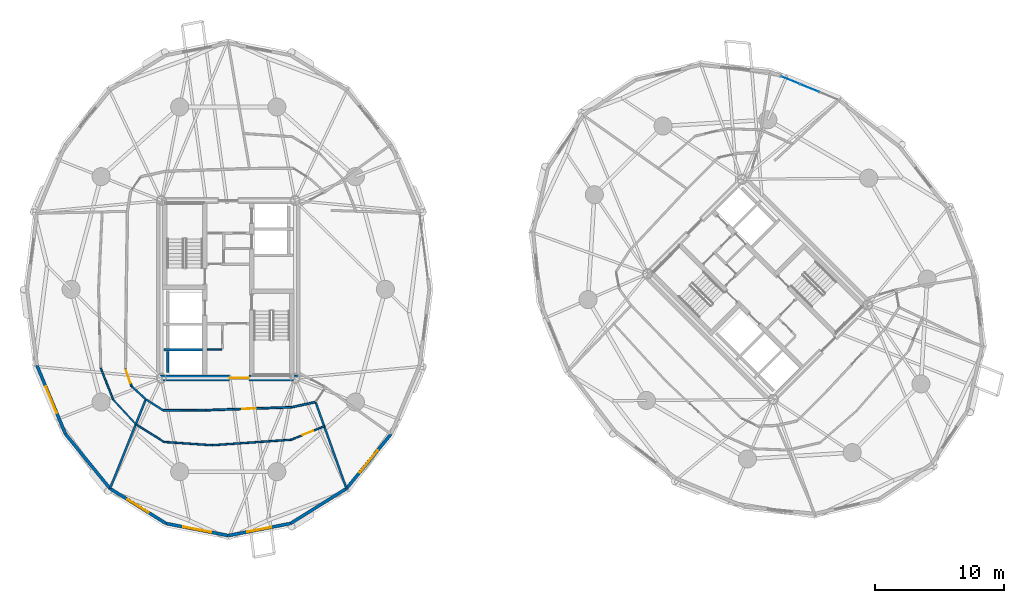
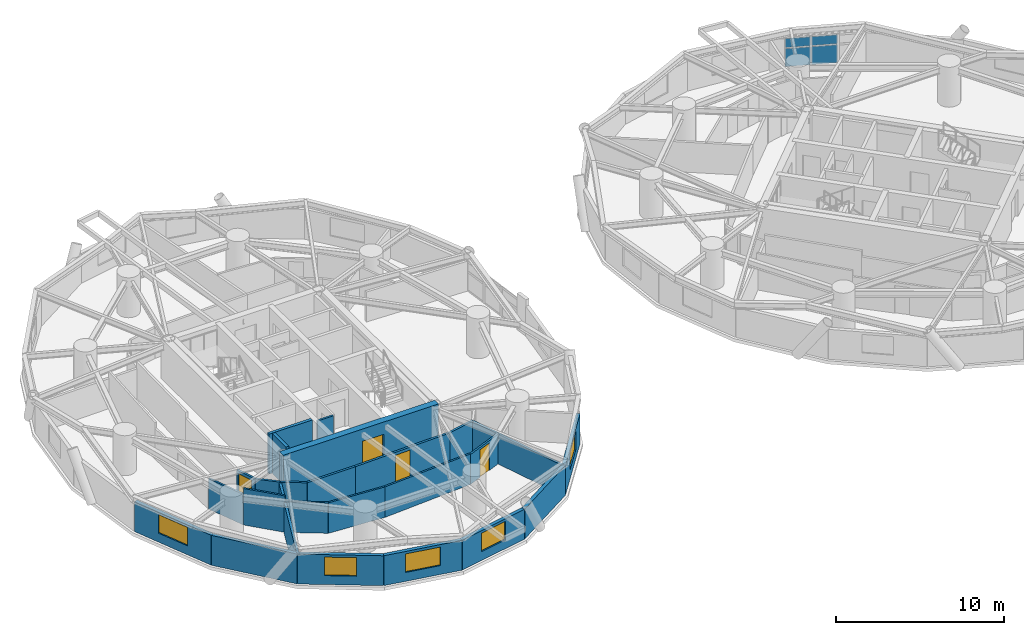
# One storey, part 9 of 17: 25 walls, 5 windows, 4 doors, 4 plates, 9 openings, 1 element without a shape of its own.
"""IFC4 building model written with IfcOpenShell, lengths in metres."""

import ifcopenshell
import ifcopenshell.guid

model = None  # the IFC model being written
_history = None  # IfcOwnerHistory: only IFC2X3 demands one
_inside = {}  # id of a spatial element -> (the spatial element, [elements in it])
_under = {}  # id of a project, library or spatial element -> (it, [spatial elements below it])
_declared = {}  # id of a project -> (the project, [libraries it declares])
_typed = {}  # id of a type object -> (the type object, [elements of that type])
_made_of = {}  # id of a material, layer set ... -> (it, [elements and type objects made of it])


def new_model(schema):
    """Start an empty IFC model of exactly this schema.

    Asked for "IFC4X3", IfcOpenShell would pick the latest addendum, in which some entities
    have other attributes; the version numbers below select the first issue.
    IFC2X3 requires an IfcOwnerHistory on every rooted entity: one is made here for all.
    """
    global model, _history
    if schema == "IFC4X3":
        model = ifcopenshell.file(schema_version=(4, 3, 0, 0))
    else:
        model = ifcopenshell.file(schema=schema)
    _inside.clear()
    _under.clear()
    _declared.clear()
    _typed.clear()
    _made_of.clear()
    _history = None
    if model.schema == "IFC2X3":
        org = make("IfcOrganization", Name="unknown")
        user = make(
            "IfcPersonAndOrganization",
            ThePerson=make("IfcPerson", FamilyName="unknown"),
            TheOrganization=org,
        )
        app = make(
            "IfcApplication",
            ApplicationDeveloper=org,
            Version="unknown",
            ApplicationFullName="unknown",
            ApplicationIdentifier="unknown",
        )
        _history = make(
            "IfcOwnerHistory",
            OwningUser=user,
            OwningApplication=app,
            ChangeAction="ADDED",
            CreationDate=0,
        )
    return model


def make(cls, **values):
    """One entity of the class cls with the attributes given. An attribute that is None is left unset."""
    return model.create_entity(
        cls, **{name: value for name, value in values.items() if value is not None}
    )


def rooted(cls, **values):
    """An entity with a GlobalId (a new one), such as an element, a storey or a relation."""
    return make(cls, GlobalId=ifcopenshell.guid.new(), OwnerHistory=_history, **values)


def si_unit(unit_type, name, prefix=None):
    """IfcSIUnit, for example si_unit("LENGTHUNIT", "METRE", prefix="MILLI")."""
    return make("IfcSIUnit", UnitType=unit_type, Prefix=prefix, Name=name)


def assignment(units):
    """IfcUnitAssignment: the units of a project."""
    return None if units is None else make("IfcUnitAssignment", Units=units)


def point(xyz):
    """IfcCartesianPoint."""
    return None if xyz is None else make("IfcCartesianPoint", Coordinates=xyz)


def direction(xyz):
    """IfcDirection."""
    return None if xyz is None else make("IfcDirection", DirectionRatios=xyz)


def frame(location, z_axis=None, x_axis=None):
    """IfcAxis2Placement3D, a coordinate frame: its origin and axes. An axis left out is left unset."""
    return make(
        "IfcAxis2Placement3D",
        Location=point(location),
        Axis=direction(z_axis),
        RefDirection=direction(x_axis),
    )


def frame_2d(location, x_axis=None):
    """IfcAxis2Placement2D, a coordinate frame in the plane: its origin and x axis."""
    return make(
        "IfcAxis2Placement2D", Location=point(location), RefDirection=direction(x_axis)
    )


def origin():
    """The frame at (0, 0, 0) with its axes left unset."""
    return frame((0.0, 0.0, 0.0))


def origin_2d():
    """The frame at (0, 0) in the plane with its x axis left unset."""
    return frame_2d((0.0, 0.0))


def place(relative_to, where):
    """IfcLocalPlacement: puts the frame where relative to a parent placement (None: the world)."""
    return make(
        "IfcLocalPlacement", PlacementRelTo=relative_to, RelativePlacement=where
    )


def context(
    kind, dimensions, precision=None, world=None, true_north=None, identifier=None
):
    """IfcGeometricRepresentationContext, for example the 3D "Model" context."""
    return make(
        "IfcGeometricRepresentationContext",
        ContextIdentifier=identifier,
        ContextType=kind,
        CoordinateSpaceDimension=dimensions,
        Precision=precision,
        WorldCoordinateSystem=world,
        TrueNorth=true_north,
    )


def subcontext(parent, identifier, kind, view, scale=None):
    """IfcGeometricRepresentationSubContext, for example "Body" below "Model"."""
    return make(
        "IfcGeometricRepresentationSubContext",
        ContextIdentifier=identifier,
        ContextType=kind,
        ParentContext=parent,
        TargetScale=scale,
        TargetView=view,
    )


def project(units=None, contexts=None):
    """IfcProject with its units and contexts."""
    return rooted(
        "IfcProject",
        Name="project",
        RepresentationContexts=contexts,
        UnitsInContext=assignment(units),
    )


def spatial(cls, under=None, at=None, **own):
    """A site, building, storey or space (cls), placed at a placement, below another one or the project."""
    s = rooted(cls, ObjectPlacement=at, **own)
    if under is not None:
        _under.setdefault(under.id(), (under, []))[1].append(s)
    return s


def profile(cls, at=None, kind="AREA", **sizes):
    """A parametric profile (cls). Its sizes go by their IFC names, for example OverallWidth=200.0."""
    return make(cls, ProfileType=kind, Position=at, **sizes)


def rectangle(**sizes):
    """IfcRectangleProfileDef."""
    return profile("IfcRectangleProfileDef", **sizes)


def extrude(swept, where, along, depth):
    """IfcExtrudedAreaSolid: the profile swept, set in the frame where, extruded along a direction by depth."""
    return make(
        "IfcExtrudedAreaSolid",
        SweptArea=swept,
        Position=where,
        ExtrudedDirection=direction(along),
        Depth=depth,
    )


def shape(context_of_items, identifier, shape_type, items):
    """IfcShapeRepresentation: the items that make up one representation, for example the "Body"."""
    return make(
        "IfcShapeRepresentation",
        ContextOfItems=context_of_items,
        RepresentationIdentifier=identifier,
        RepresentationType=shape_type,
        Items=items,
    )


def source(mapping_origin, context_of_items, identifier, shape_type, items):
    """IfcRepresentationMap: a shape defined once, which mapped items show again and again."""
    return make(
        "IfcRepresentationMap",
        MappingOrigin=mapping_origin,
        MappedRepresentation=shape(context_of_items, identifier, shape_type, items),
    )


def transform(
    local_origin,
    x_axis=None,
    y_axis=None,
    z_axis=None,
    scale=None,
    scale2=None,
    scale3=None,
    uniform=True,
):
    """IfcCartesianTransformationOperator3D, or its non-uniform kind. x_axis, y_axis, z_axis: its Axis1, 2, 3."""
    if uniform:
        return make(
            "IfcCartesianTransformationOperator3D",
            Axis1=direction(x_axis),
            Axis2=direction(y_axis),
            LocalOrigin=point(local_origin),
            Scale=scale,
            Axis3=direction(z_axis),
        )
    return make(
        "IfcCartesianTransformationOperator3DnonUniform",
        Axis1=direction(x_axis),
        Axis2=direction(y_axis),
        LocalOrigin=point(local_origin),
        Scale=scale,
        Axis3=direction(z_axis),
        Scale2=scale2,
        Scale3=scale3,
    )


def mapped(mapping_source, mapping_target):
    """IfcMappedItem: shows the shape of a source again, moved by a transform."""
    return make(
        "IfcMappedItem", MappingSource=mapping_source, MappingTarget=mapping_target
    )


def material(Name=None, Category=None):
    """IfcMaterial."""
    return make("IfcMaterial", Name=Name, Category=Category)


def layer(
    of_material, thickness, ventilated=None, Name=None, Category=None, Priority=None
):
    """IfcMaterialLayer: one layer of a wall or slab, of a material (None: an air gap)."""
    return make(
        "IfcMaterialLayer",
        Material=of_material,
        LayerThickness=thickness,
        IsVentilated=ventilated,
        Name=Name,
        Category=Category,
        Priority=Priority,
    )


def layer_set(layers, Name=None):
    """IfcMaterialLayerSet."""
    return make("IfcMaterialLayerSet", MaterialLayers=layers, LayerSetName=Name)


def made_of(thing, what):
    """Note that an element or type object is made of a material, layer set ...; save() writes the relation."""
    if what is not None:
        _made_of.setdefault(what.id(), (what, []))[1].append(thing)
    return thing


def type_object(cls, material=None, **own):
    """A type object (cls), such as IfcWallType, which elements share."""
    return made_of(rooted(cls, **own), material)


def element(
    cls,
    number,
    at=None,
    inside=None,
    cuts=None,
    type_object=None,
    material=None,
    context=None,
    identifier="Body",
    shape_type=None,
    held_by="IfcProductDefinitionShape",
    body=None,
    shapes=None,
    **own,
):
    """One element of the class cls, such as IfcWall. Its Tag is "e" and its number.

    at: its placement. inside: the storey or other place that contains it. cuts: it is an
    opening in that element (IfcRelVoidsElement). A single representation is given by context,
    identifier, shape_type and body (its items); several are given by shapes. held_by: the class
    of the entity that holds the representations. save() writes the other relations.
    """
    e = rooted(cls, Tag="e%d" % number, ObjectPlacement=at, **own)
    if body is not None:
        shapes = [shape(context, identifier, shape_type, body)]
    if shapes is not None:
        e.Representation = make(held_by, Representations=shapes)
    if inside is not None:
        _inside.setdefault(inside.id(), (inside, []))[1].append(e)
    if cuts is not None:
        rooted(
            "IfcRelVoidsElement", RelatingBuildingElement=cuts, RelatedOpeningElement=e
        )
    if type_object is not None:
        _typed.setdefault(type_object.id(), (type_object, []))[1].append(e)
    return made_of(e, material)


def fill(opening, filler):
    """IfcRelFillsElement: the door or window that sits in an opening."""
    return rooted(
        "IfcRelFillsElement",
        RelatingOpeningElement=opening,
        RelatedBuildingElement=filler,
    )


def aggregate(whole, parts):
    """IfcRelAggregates: a whole, such as a stair, and the parts it consists of."""
    return rooted("IfcRelAggregates", RelatingObject=whole, RelatedObjects=parts)


def save(model, path):
    """Write the relations noted so far, then the file.

    IfcRelAggregates (storeys below a building ...), IfcRelContainedInSpatialStructure (elements
    in a storey), IfcRelDefinesByType, IfcRelAssociatesMaterial and IfcRelDeclares: one each for
    every whole, place, type object, material and project.
    """
    for whole, parts in _under.values():
        aggregate(whole, parts)
    for where, things in _inside.values():
        rooted(
            "IfcRelContainedInSpatialStructure",
            RelatedElements=things,
            RelatingStructure=where,
        )
    for kind, things in _typed.values():
        rooted("IfcRelDefinesByType", RelatedObjects=things, RelatingType=kind)
    for what, things in _made_of.values():
        rooted("IfcRelAssociatesMaterial", RelatedObjects=things, RelatingMaterial=what)
    for by, libraries in _declared.values():
        rooted("IfcRelDeclares", RelatingContext=by, RelatedDefinitions=libraries)
    model.write(path)


model = new_model("IFC4")

# Units and contexts
model_context = context("Model", 3, precision=1e-05, world=origin(), true_north=direction((0.0, 1.0)))
body_context = subcontext(model_context, "Body", "Model", "MODEL_VIEW")
ifc_project = project(units=[si_unit("LENGTHUNIT", "METRE"), si_unit("AREAUNIT", "SQUARE_METRE"), si_unit("VOLUMEUNIT", "CUBIC_METRE"), si_unit("PLANEANGLEUNIT", "RADIAN"), si_unit("MASSUNIT", "GRAM", prefix="KILO")], contexts=[model_context])

# Site, building, storey
site_placement = place(None, origin())
site = spatial("IfcSite", under=ifc_project, at=site_placement, CompositionType="ELEMENT")
building_placement = place(site_placement, origin())
building = spatial("IfcBuilding", under=site, at=building_placement, Name="Cununo Teusaquillo Station Towers", CompositionType="ELEMENT")
storey_placement = place(building_placement, frame((0.0, 0.0, 107.97998046875)))
storey = spatial("IfcBuildingStorey", under=building, at=storey_placement, Name="L34", CompositionType="ELEMENT", Elevation=107.97998046875)

# Curtain wall, plates
ifc_material_1 = material(Name="Ceramic-fritted dark low-E double glazing", Category="glass")
ifc_layer_1 = layer(ifc_material_1, 0.179931640625)
ifc_layer_set_1 = layer_set([ifc_layer_1], Name="Ceramic-fritted dark low-E double glazing")
curtain_wall_type = type_object("IfcCurtainWallType", Name="CW-SYS-04", PredefinedType="USERDEFINED", material=ifc_layer_set_1)
curtain_wall_placement = place(storey_placement, origin())
curtain_wall = element("IfcCurtainWall", 1, at=curtain_wall_placement, inside=storey, type_object=curtain_wall_type, Name="L34 Tower B Facade Curtain Wall C01", ObjectType="FRITTED GLAZING", PredefinedType="USERDEFINED")
ifc_material_2 = material(Name="Ceramic-fritted dark low-E double glazing", Category="glass")
ifc_layer_2 = layer(ifc_material_2, 0.028076171875)
ifc_layer_set_2 = layer_set([ifc_layer_2], Name="Ceramic-fritted dark low-E double glazing")
plate_type = type_object("IfcPlateType", Name="CWP-FRIT-28", PredefinedType="CURTAIN_PANEL", material=ifc_layer_set_2)
shared_shape_1 = source(origin(), body_context, "Body", "SweptSolid", [
    extrude(rectangle(XDim=1.531005859375, YDim=0.028076171875, at=origin_2d()), origin(), (0.0, 0.0, 1.0), 1.31103515625),
])
plate_1_placement = place(storey_placement, frame((60.045654296875, 40.697021484375, 0.070068359375), z_axis=(0.0, 0.0, 1.0), x_axis=(0.924562443652, -0.381030560176, 0.0)))
plate_1 = element("IfcPlate", 2, at=plate_1_placement, type_object=plate_type, Name="CW-04 panel 1.1", PredefinedType="CURTAIN_PANEL", context=body_context, shape_type="MappedRepresentation", body=[
    mapped(shared_shape_1, transform((0.0, 0.0, 0.0), x_axis=(1.0, 0.0, 0.0), y_axis=(0.0, 1.0, 0.0), z_axis=(0.0, 0.0, 1.0), scale=1.0)),
])
shared_shape_2 = source(origin(), body_context, "Body", "SweptSolid", [
    extrude(rectangle(XDim=1.531005859375, YDim=0.028076171875, at=origin_2d()), origin(), (0.0, 0.0, 1.0), 0.657958984375),
])
plate_2_placement = place(storey_placement, frame((60.045654296875, 40.697021484375, 1.451171875), z_axis=(0.0, 0.0, 1.0), x_axis=(0.924562443652, -0.381030560176, 0.0)))
plate_2 = element("IfcPlate", 3, at=plate_2_placement, type_object=plate_type, Name="CW-04 panel 1.2", PredefinedType="CURTAIN_PANEL", context=body_context, shape_type="MappedRepresentation", body=[
    mapped(shared_shape_2, transform((0.0, 0.0, 0.0), x_axis=(1.0, 0.0, 0.0), y_axis=(0.0, 1.0, 0.0), z_axis=(0.0, 0.0, 1.0), scale=1.0)),
])
shared_shape_3 = source(origin(), body_context, "Body", "SweptSolid", [
    extrude(rectangle(XDim=1.566162109375, YDim=0.028076171875, at=origin_2d()), origin(), (0.0, 0.0, 1.0), 1.31103515625),
])
plate_3_placement = place(storey_placement, frame((61.542236328125, 40.080322265625, 0.070068359375), z_axis=(0.0, 0.0, 1.0), x_axis=(0.924562443652, -0.381030560176, 0.0)))
plate_3 = element("IfcPlate", 4, at=plate_3_placement, type_object=plate_type, Name="CW-04 panel 2.1", PredefinedType="CURTAIN_PANEL", context=body_context, shape_type="MappedRepresentation", body=[
    mapped(shared_shape_3, transform((0.0, 0.0, 0.0), x_axis=(1.0, 0.0, 0.0), y_axis=(0.0, 1.0, 0.0), z_axis=(0.0, 0.0, 1.0), scale=1.0)),
])
shared_shape_4 = source(origin(), body_context, "Body", "SweptSolid", [
    extrude(rectangle(XDim=1.566162109375, YDim=0.028076171875, at=origin_2d()), origin(), (0.0, 0.0, 1.0), 0.657958984375),
])
plate_4_placement = place(storey_placement, frame((61.542236328125, 40.080322265625, 1.451171875), z_axis=(0.0, 0.0, 1.0), x_axis=(0.924562443652, -0.381030560176, 0.0)))
plate_4 = element("IfcPlate", 5, at=plate_4_placement, type_object=plate_type, Name="CW-04 panel 2.2", PredefinedType="CURTAIN_PANEL", context=body_context, shape_type="MappedRepresentation", body=[
    mapped(shared_shape_4, transform((0.0, 0.0, 0.0), x_axis=(1.0, 0.0, 0.0), y_axis=(0.0, 1.0, 0.0), z_axis=(0.0, 0.0, 1.0), scale=1.0)),
])
aggregate(curtain_wall, [plate_1, plate_2, plate_3, plate_4])

# Walls
ifc_material_3 = material(Name="Concrete C50/60", Category="concrete")
ifc_layer_3 = layer(ifc_material_3, 0.199951171875)
ifc_layer_set_3 = layer_set([ifc_layer_3], Name="Concrete C50/60")
wall_type_1 = type_object("IfcWallType", Name="WL-CORE-200", PredefinedType="SHEAR", material=ifc_layer_set_3)
wall_1_placement = place(storey_placement, frame((11.52001953125, 19.824951171875, 0.0), z_axis=(0.0, 0.0, 1.0), x_axis=(1.0, 0.0, 0.0)))
element("IfcWall", 6, at=wall_1_placement, inside=storey, type_object=wall_type_1, Name="L34 Tower A High-Rise Lift Hoistway Divider Shear Wall", PredefinedType="SHEAR", context=body_context, shape_type="SweptSolid", body=[
    extrude(rectangle(XDim=2.969970703125, YDim=0.199951171875, at=frame_2d((1.48486328125, 0.0))), origin(), (0.0, 0.0, 1.0), 2.909912109375),
])
wall_2_placement = place(storey_placement, frame((11.820068359375, 18.070068359375, 0.0), z_axis=(0.0, 0.0, 1.0), x_axis=(0.0, 1.0, 0.0)))
element("IfcWall", 7, at=wall_2_placement, inside=storey, type_object=wall_type_1, Name="L34 Tower A High-Rise Lift 1 Shaft Rear Shear Wall", PredefinedType="SHEAR", context=body_context, shape_type="SweptSolid", body=[
    extrude(rectangle(XDim=1.635009765625, YDim=0.199951171875, at=frame_2d((0.8173828125, 0.0))), origin(), (0.0, 0.0, 1.0), 2.909912109375),
])

# Wall, opening, door
ifc_material_4 = material(Name="Concrete C60/75", Category="concrete")
ifc_layer_4 = layer(ifc_material_4, 0.449951171875)
ifc_layer_set_4 = layer_set([ifc_layer_4], Name="Concrete C60/75")
wall_type_2 = type_object("IfcWallType", Name="WL-CORE-450", PredefinedType="SHEAR", material=ifc_layer_set_4)
wall_3_placement = place(storey_placement, frame((11.14990234375, 17.625, 0.0), z_axis=(0.0, 0.0, 1.0), x_axis=(1.0, 0.0, 0.0)))
wall_3 = element("IfcWall", 8, at=wall_3_placement, inside=storey, type_object=wall_type_2, Name="L34 Tower A Core Shear Wall S", PredefinedType="SHEAR", context=body_context, shape_type="SweptSolid", body=[
    extrude(rectangle(XDim=10.7001953125, YDim=0.449951171875, at=frame_2d((5.35009765625, 0.0))), origin(), (0.0, 0.0, 1.0), 2.909912109375),
])
shared_shape_5 = source(origin(), body_context, "Body", "SweptSolid", [
    extrude(rectangle(XDim=1.5, YDim=2.02001953125, at=frame_2d((0.75, 1.010009765625))), frame((0.0, 0.23486328125, 0.0), z_axis=(0.0, -1.0, 0.0), x_axis=(1.0, 0.0, 0.0)), (0.0, 0.0, 1.0), 0.469970703125),
])
opening_1_placement = place(wall_3_placement, frame((5.449951171875, 0.0, 0.0)))
opening_1 = element("IfcOpeningElement", 9, at=opening_1_placement, cuts=wall_3, Name="Opening D-LB1", PredefinedType="OPENING", context=body_context, shape_type="MappedRepresentation", body=[
    mapped(shared_shape_5, transform((0.0, 0.0, 0.0), x_axis=(1.0, 0.0, 0.0), y_axis=(0.0, 1.0, 0.0), z_axis=(0.0, 0.0, 1.0), scale=1.0)),
])
ifc_material_5 = material(Name="Galvanised fire-rated hollow steel door assembly", Category="steel")
door_type_1 = type_object("IfcDoorType", Name="DR-LOBBY-1500", OperationType="DOUBLE_DOOR_SINGLE_SWING", PredefinedType="DOOR", material=ifc_material_5)
shared_shape_6 = source(origin(), body_context, "Body", "SweptSolid", [
    extrude(rectangle(XDim=1.5, YDim=2.02001953125, at=frame_2d((0.75, 1.010009765625))), frame((0.0, 0.02490234375, 0.0), z_axis=(0.0, -1.0, 0.0), x_axis=(1.0, 0.0, 0.0)), (0.0, 0.0, 1.0), 0.050048828125),
])
door_1_placement = place(opening_1_placement, origin())
door_1 = element("IfcDoor", 10, at=door_1_placement, inside=storey, type_object=door_type_1, Name="L34 Tower A South Core Lift Lobby Door", OperationType="DOUBLE_DOOR_SINGLE_SWING", OverallHeight=2.02001953125, OverallWidth=1.5, PredefinedType="DOOR", context=body_context, shape_type="MappedRepresentation", body=[
    mapped(shared_shape_6, transform((0.0, 0.0, 0.0), x_axis=(1.0, 0.0, 0.0), y_axis=(0.0, 1.0, 0.0), z_axis=(0.0, 0.0, 1.0), scale=1.0)),
])
fill(opening_1, door_1)

# Wall, opening, window
ifc_material_6 = material(Name="Precast concrete C40/50", Category="concrete")
ifc_layer_5 = layer(ifc_material_6, 0.239990234375)
ifc_layer_set_5 = layer_set([ifc_layer_5], Name="Precast concrete C40/50")
wall_type_3 = type_object("IfcWallType", Name="WL-EXT-240", PredefinedType="SOLIDWALL", material=ifc_layer_set_5)
wall_4_placement = place(storey_placement, frame((3.894775390625, 13.291015625, 0.0), z_axis=(0.0, 0.0, 1.0), x_axis=(-0.384344417632, 0.923189779317, 0.0)))
wall_4 = element("IfcWall", 11, at=wall_4_placement, inside=storey, type_object=wall_type_3, Name="L34 Tower A Exterior Facade Wall C11", PredefinedType="SOLIDWALL", context=body_context, shape_type="SweptSolid", body=[
    extrude(rectangle(XDim=5.75830078125, YDim=0.239990234375, at=frame_2d((2.879150390625, 0.0))), origin(), (0.0, 0.0, 1.0), 2.178955078125),
])
shared_shape_7 = source(origin(), body_context, "Body", "SweptSolid", [
    extrude(rectangle(XDim=2.199951171875, YDim=1.35009765625, at=frame_2d((1.10009765625, 0.675048828125))), frame((0.0, 0.1298828125, 0.0), z_axis=(0.0, -1.0, 0.0), x_axis=(1.0, 0.0, 0.0)), (0.0, 0.0, 1.0), 0.260009765625),
])
opening_2_placement = place(wall_4_placement, frame((1.779052734375, 0.0, 0.64990234375)))
opening_2 = element("IfcOpeningElement", 12, at=opening_2_placement, cuts=wall_4, Name="Opening WN-01", PredefinedType="OPENING", context=body_context, shape_type="MappedRepresentation", body=[
    mapped(shared_shape_7, transform((0.0, 0.0, 0.0), x_axis=(1.0, 0.0, 0.0), y_axis=(0.0, 1.0, 0.0), z_axis=(0.0, 0.0, 1.0), scale=1.0)),
])
ifc_material_7 = material(Name="Ceramic-fritted dark low-E double glazing", Category="glass")
window_type_1 = type_object("IfcWindowType", Name="WIN-FRIT-2200", PartitioningType="DOUBLE_PANEL_VERTICAL", PredefinedType="WINDOW", material=ifc_material_7)
shared_shape_8 = source(origin(), body_context, "Body", "SweptSolid", [
    extrude(rectangle(XDim=2.199951171875, YDim=1.35009765625, at=frame_2d((1.10009765625, 0.675048828125))), frame((0.0, 0.030029296875, 0.0), z_axis=(0.0, -1.0, 0.0), x_axis=(1.0, 0.0, 0.0)), (0.0, 0.0, 1.0), 0.06005859375),
])
window_1_placement = place(opening_2_placement, origin())
window_1 = element("IfcWindow", 13, at=window_1_placement, inside=storey, type_object=window_type_1, Name="L34 Tower A Facade Window C11", OverallHeight=1.35009765625, OverallWidth=2.199951171875, PartitioningType="DOUBLE_PANEL_VERTICAL", PredefinedType="WINDOW", context=body_context, shape_type="MappedRepresentation", body=[
    mapped(shared_shape_8, transform((0.0, 0.0, 0.0), x_axis=(1.0, 0.0, 0.0), y_axis=(0.0, 1.0, 0.0), z_axis=(0.0, 0.0, 1.0), scale=1.0)),
])
fill(opening_2, window_1)

# Wall
wall_5_placement = place(storey_placement, frame((7.341796875, 9.072021484375, 0.0), z_axis=(0.0, 0.0, 1.0), x_axis=(-0.632700781152, 0.77439635945, 0.0)))
element("IfcWall", 14, at=wall_5_placement, inside=storey, type_object=wall_type_3, Name="L34 Tower A Exterior Facade Wall C12", PredefinedType="SOLIDWALL", context=body_context, shape_type="SweptSolid", body=[
    extrude(rectangle(XDim=5.447998046875, YDim=0.239990234375, at=frame_2d((2.72412109375, 0.0))), origin(), (0.0, 0.0, 1.0), 2.178955078125),
])

# Wall, opening, window
wall_6_placement = place(storey_placement, frame((11.685302734375, 6.36328125, 0.0), z_axis=(0.0, 0.0, 1.0), x_axis=(-0.848520380187, 0.529162701263, 0.0)))
wall_6 = element("IfcWall", 15, at=wall_6_placement, inside=storey, type_object=wall_type_3, Name="L34 Tower A Exterior Facade Wall C13", PredefinedType="SOLIDWALL", context=body_context, shape_type="SweptSolid", body=[
    extrude(rectangle(XDim=5.118896484375, YDim=0.239990234375, at=frame_2d((2.5595703125, 0.0))), origin(), (0.0, 0.0, 1.0), 2.178955078125),
])
shared_shape_9 = source(origin(), body_context, "Body", "SweptSolid", [
    extrude(rectangle(XDim=1.89990234375, YDim=1.35009765625, at=frame_2d((0.949951171875, 0.675048828125))), frame((0.0, 0.1298828125, 0.0), z_axis=(0.0, -1.0, 0.0), x_axis=(1.0, 0.0, 0.0)), (0.0, 0.0, 1.0), 0.260009765625),
])
opening_3_placement = place(wall_6_placement, frame((1.60888671875, 0.0, 0.64990234375)))
opening_3 = element("IfcOpeningElement", 16, at=opening_3_placement, cuts=wall_6, Name="Opening WN-02", PredefinedType="OPENING", context=body_context, shape_type="MappedRepresentation", body=[
    mapped(shared_shape_9, transform((0.0, 0.0, 0.0), x_axis=(1.0, 0.0, 0.0), y_axis=(0.0, 1.0, 0.0), z_axis=(0.0, 0.0, 1.0), scale=1.0)),
])
ifc_material_8 = material(Name="Operable acoustic tinted low-E double glazing", Category="glass")
window_type_2 = type_object("IfcWindowType", Name="WIN-OPER-1900", PartitioningType="DOUBLE_PANEL_VERTICAL", PredefinedType="WINDOW", material=ifc_material_8)
shared_shape_10 = source(origin(), body_context, "Body", "SweptSolid", [
    extrude(rectangle(XDim=1.89990234375, YDim=1.35009765625, at=frame_2d((0.949951171875, 0.675048828125))), frame((0.0, 0.030029296875, 0.0), z_axis=(0.0, -1.0, 0.0), x_axis=(1.0, 0.0, 0.0)), (0.0, 0.0, 1.0), 0.06005859375),
])
window_2_placement = place(opening_3_placement, origin())
window_2 = element("IfcWindow", 17, at=window_2_placement, inside=storey, type_object=window_type_2, Name="L34 Tower A Facade Window C13", OverallHeight=1.35009765625, OverallWidth=1.89990234375, PartitioningType="DOUBLE_PANEL_VERTICAL", PredefinedType="WINDOW", context=body_context, shape_type="MappedRepresentation", body=[
    mapped(shared_shape_10, transform((0.0, 0.0, 0.0), x_axis=(1.0, 0.0, 0.0), y_axis=(0.0, 1.0, 0.0), z_axis=(0.0, 0.0, 1.0), scale=1.0)),
])
fill(opening_3, window_2)

wall_7_placement = place(storey_placement, frame((16.5, 5.429931640625, 0.0), z_axis=(0.0, 0.0, 1.0), x_axis=(-0.981723785992, 0.190311344954, 0.0)))
wall_7 = element("IfcWall", 18, at=wall_7_placement, inside=storey, type_object=wall_type_3, Name="L34 Tower A Exterior Facade Wall C14", PredefinedType="SOLIDWALL", context=body_context, shape_type="SweptSolid", body=[
    extrude(rectangle(XDim=4.904296875, YDim=0.239990234375, at=frame_2d((2.4521484375, 0.0))), origin(), (0.0, 0.0, 1.0), 2.178955078125),
])
opening_4_placement = place(wall_7_placement, frame((1.35205078125, 0.0, 0.64990234375)))
opening_4 = element("IfcOpeningElement", 19, at=opening_4_placement, cuts=wall_7, Name="Opening WN-01", PredefinedType="OPENING", context=body_context, shape_type="MappedRepresentation", body=[
    mapped(shared_shape_7, transform((0.0, 0.0, 0.0), x_axis=(1.0, 0.0, 0.0), y_axis=(0.0, 1.0, 0.0), z_axis=(0.0, 0.0, 1.0), scale=1.0)),
])
window_3_placement = place(opening_4_placement, origin())
window_3 = element("IfcWindow", 20, at=window_3_placement, inside=storey, type_object=window_type_1, Name="L34 Tower A Facade Window C14", OverallHeight=1.35009765625, OverallWidth=2.199951171875, PartitioningType="DOUBLE_PANEL_VERTICAL", PredefinedType="WINDOW", context=body_context, shape_type="MappedRepresentation", body=[
    mapped(shared_shape_8, transform((0.0, 0.0, 0.0), x_axis=(1.0, 0.0, 0.0), y_axis=(0.0, 1.0, 0.0), z_axis=(0.0, 0.0, 1.0), scale=1.0)),
])
fill(opening_4, window_3)

wall_8_placement = place(storey_placement, frame((21.314697265625, 6.36328125, 0.0), z_axis=(0.0, 0.0, 1.0), x_axis=(-0.981723785992, -0.190311344954, 0.0)))
wall_8 = element("IfcWall", 21, at=wall_8_placement, inside=storey, type_object=wall_type_3, Name="L34 Tower A Exterior Facade Wall C15", PredefinedType="SOLIDWALL", context=body_context, shape_type="SweptSolid", body=[
    extrude(rectangle(XDim=4.904296875, YDim=0.239990234375, at=frame_2d((2.4521484375, 0.0))), origin(), (0.0, 0.0, 1.0), 2.178955078125),
])
opening_5_placement = place(wall_8_placement, frame((1.501953125, 0.0, 0.64990234375)))
opening_5 = element("IfcOpeningElement", 22, at=opening_5_placement, cuts=wall_8, Name="Opening WN-02", PredefinedType="OPENING", context=body_context, shape_type="MappedRepresentation", body=[
    mapped(shared_shape_9, transform((0.0, 0.0, 0.0), x_axis=(1.0, 0.0, 0.0), y_axis=(0.0, 1.0, 0.0), z_axis=(0.0, 0.0, 1.0), scale=1.0)),
])
window_4_placement = place(opening_5_placement, origin())
window_4 = element("IfcWindow", 23, at=window_4_placement, inside=storey, type_object=window_type_2, Name="L34 Tower A Facade Window C15", OverallHeight=1.35009765625, OverallWidth=1.89990234375, PartitioningType="DOUBLE_PANEL_VERTICAL", PredefinedType="WINDOW", context=body_context, shape_type="MappedRepresentation", body=[
    mapped(shared_shape_10, transform((0.0, 0.0, 0.0), x_axis=(1.0, 0.0, 0.0), y_axis=(0.0, 1.0, 0.0), z_axis=(0.0, 0.0, 1.0), scale=1.0)),
])
fill(opening_5, window_4)

# Wall
wall_9_placement = place(storey_placement, frame((25.658203125, 9.072021484375, 0.0), z_axis=(0.0, 0.0, 1.0), x_axis=(-0.848520380187, -0.529162701263, 0.0)))
element("IfcWall", 24, at=wall_9_placement, inside=storey, type_object=wall_type_3, Name="L34 Tower A Exterior Facade Wall C16", PredefinedType="SOLIDWALL", context=body_context, shape_type="SweptSolid", body=[
    extrude(rectangle(XDim=5.118896484375, YDim=0.239990234375, at=frame_2d((2.5595703125, 0.0))), origin(), (0.0, 0.0, 1.0), 2.178955078125),
])

# Wall, opening, window
wall_10_placement = place(storey_placement, frame((29.105224609375, 13.291015625, 0.0), z_axis=(0.0, 0.0, 1.0), x_axis=(-0.632700781152, -0.77439635945, 0.0)))
wall_10 = element("IfcWall", 25, at=wall_10_placement, inside=storey, type_object=wall_type_3, Name="L34 Tower A Exterior Facade Wall C17", PredefinedType="SOLIDWALL", context=body_context, shape_type="SweptSolid", body=[
    extrude(rectangle(XDim=5.447998046875, YDim=0.239990234375, at=frame_2d((2.72412109375, 0.0))), origin(), (0.0, 0.0, 1.0), 2.178955078125),
])
opening_6_placement = place(wall_10_placement, frame((1.6240234375, 0.0, 0.64990234375)))
opening_6 = element("IfcOpeningElement", 26, at=opening_6_placement, cuts=wall_10, Name="Opening WN-01", PredefinedType="OPENING", context=body_context, shape_type="MappedRepresentation", body=[
    mapped(shared_shape_7, transform((0.0, 0.0, 0.0), x_axis=(1.0, 0.0, 0.0), y_axis=(0.0, 1.0, 0.0), z_axis=(0.0, 0.0, 1.0), scale=1.0)),
])
window_5_placement = place(opening_6_placement, origin())
window_5 = element("IfcWindow", 27, at=window_5_placement, inside=storey, type_object=window_type_1, Name="L34 Tower A Facade Window C17", OverallHeight=1.35009765625, OverallWidth=2.199951171875, PartitioningType="DOUBLE_PANEL_VERTICAL", PredefinedType="WINDOW", context=body_context, shape_type="MappedRepresentation", body=[
    mapped(shared_shape_8, transform((0.0, 0.0, 0.0), x_axis=(1.0, 0.0, 0.0), y_axis=(0.0, 1.0, 0.0), z_axis=(0.0, 0.0, 1.0), scale=1.0)),
])
fill(opening_6, window_5)

# Walls
ifc_material_9 = material(Name="Fire-rated gypsum plasterboard partition assembly", Category="gypsum")
ifc_layer_6 = layer(ifc_material_9, 0.125)
ifc_layer_set_6 = layer_set([ifc_layer_6], Name="Fire-rated gypsum plasterboard partition assembly")
wall_type_4 = type_object("IfcWallType", Name="WL-PART-125", PredefinedType="PARTITIONING", material=ifc_layer_set_6)
wall_11_placement = place(storey_placement, frame((14.8798828125, 19.85009765625, 0.0), z_axis=(0.0, 0.0, 1.0), x_axis=(1.0, 0.0, 0.0)))
element("IfcWall", 28, at=wall_11_placement, inside=storey, type_object=wall_type_4, Name="L34 Tower A North-West Lobby Store South Wall", PredefinedType="PARTITIONING", context=body_context, shape_type="SweptSolid", body=[
    extrude(rectangle(XDim=1.10009765625, YDim=0.125, at=frame_2d((0.550048828125, 0.0))), origin(), (0.0, 0.0, 1.0), 2.655029296875),
])
wall_12_placement = place(storey_placement, frame((6.623779296875, 18.4150390625, 0.0), z_axis=(0.0, 0.0, 1.0), x_axis=(0.363854295337, -0.931455877519, 0.0)))
element("IfcWall", 29, at=wall_12_placement, inside=storey, type_object=wall_type_4, Name="L34 Tower A Ambassadorial Executive Office Concentric Partition Wall C11", PredefinedType="PARTITIONING", context=body_context, shape_type="SweptSolid", body=[
    extrude(rectangle(XDim=2.635009765625, YDim=0.125, at=frame_2d((1.3173828125, 0.0))), origin(), (0.0, 0.0, 1.0), 2.22509765625),
])
wall_13_placement = place(storey_placement, frame((7.58251953125, 15.960693359375, 0.0), z_axis=(0.0, 0.0, 1.0), x_axis=(0.677838563189, -0.735210774032, 0.0)))
element("IfcWall", 30, at=wall_13_placement, inside=storey, type_object=wall_type_4, Name="L34 Tower A Ambassadorial Executive Office Concentric Partition Wall C12", PredefinedType="PARTITIONING", context=body_context, shape_type="SweptSolid", body=[
    extrude(rectangle(XDim=2.595703125, YDim=0.125, at=frame_2d((1.2978515625, 0.0))), origin(), (0.0, 0.0, 1.0), 2.655029296875),
])
wall_14_placement = place(storey_placement, frame((9.342041015625, 14.05224609375, 0.0), z_axis=(0.0, 0.0, 1.0), x_axis=(0.846526826244, -0.532346064557, 0.0)))
element("IfcWall", 31, at=wall_14_placement, inside=storey, type_object=wall_type_4, Name="L34 Tower A Cultural Attache Workplace Concentric Partition Wall C13", PredefinedType="PARTITIONING", context=body_context, shape_type="SweptSolid", body=[
    extrude(rectangle(XDim=2.578369140625, YDim=0.125, at=frame_2d((1.2890625, 0.0))), origin(), (0.0, 0.0, 1.0), 2.22509765625),
])
wall_15_placement = place(storey_placement, frame((11.524658203125, 12.6796875, 0.0), z_axis=(0.0, 0.0, 1.0), x_axis=(0.997726815836, -0.067388433443, 0.0)))
element("IfcWall", 32, at=wall_15_placement, inside=storey, type_object=wall_type_4, Name="L34 Tower A Cultural Attache Workplace Concentric Partition Wall C14", PredefinedType="PARTITIONING", context=body_context, shape_type="SweptSolid", body=[
    extrude(rectangle(XDim=3.74609375, YDim=0.125, at=frame_2d((1.873046875, 0.0))), origin(), (0.0, 0.0, 1.0), 2.22509765625),
])
wall_16_placement = place(storey_placement, frame((15.26220703125, 12.42724609375, 0.0), z_axis=(0.0, 0.0, 1.0), x_axis=(0.997595855995, 0.069300130605, 0.0)))
element("IfcWall", 33, at=wall_16_placement, inside=storey, type_object=wall_type_4, Name="L34 Tower A Cultural Attache Workplace Concentric Partition Wall C15", PredefinedType="PARTITIONING", context=body_context, shape_type="SweptSolid", body=[
    extrude(rectangle(XDim=6.140380859375, YDim=0.125, at=frame_2d((3.0703125, 0.0))), origin(), (0.0, 0.0, 1.0), 2.22509765625),
])

# Wall, opening, door
wall_17_placement = place(storey_placement, frame((21.387939453125, 12.852783203125, 0.0), z_axis=(0.0, 0.0, 1.0), x_axis=(0.924757149715, 0.380557767036, 0.0)))
wall_17 = element("IfcWall", 34, at=wall_17_placement, inside=storey, type_object=wall_type_4, Name="L34 Tower A Cultural Attache Workplace Concentric Partition Wall C16", PredefinedType="PARTITIONING", context=body_context, shape_type="SweptSolid", body=[
    extrude(rectangle(XDim=2.74951171875, YDim=0.125, at=frame_2d((1.374755859375, 0.0))), origin(), (0.0, 0.0, 1.0), 2.178955078125),
])
shared_shape_11 = source(origin(), body_context, "Body", "SweptSolid", [
    extrude(rectangle(XDim=0.89990234375, YDim=2.0048828125, at=frame_2d((0.449951171875, 1.00244140625))), frame((0.0, 0.072509765625, 0.0), z_axis=(0.0, -1.0, 0.0), x_axis=(1.0, 0.0, 0.0)), (0.0, 0.0, 1.0), 0.14501953125),
])
opening_7_placement = place(wall_17_placement, frame((0.9248046875, 0.0, 0.0)))
opening_7 = element("IfcOpeningElement", 35, at=opening_7_placement, cuts=wall_17, Name="Opening D-IN1", PredefinedType="OPENING", context=body_context, shape_type="MappedRepresentation", body=[
    mapped(shared_shape_11, transform((0.0, 0.0, 0.0), x_axis=(1.0, 0.0, 0.0), y_axis=(0.0, 1.0, 0.0), z_axis=(0.0, 0.0, 1.0), scale=1.0)),
])
ifc_material_10 = material(Name="Acoustic solid-core hardwood leaf assembly", Category="wood")
door_type_2 = type_object("IfcDoorType", Name="DR-INT-900", OperationType="NOTDEFINED", PredefinedType="DOOR", material=ifc_material_10)
shared_shape_12 = source(origin(), body_context, "Body", "SweptSolid", [
    extrude(rectangle(XDim=0.89990234375, YDim=2.0048828125, at=frame_2d((0.449951171875, 1.00244140625))), frame((0.0, 0.02490234375, 0.0), z_axis=(0.0, -1.0, 0.0), x_axis=(1.0, 0.0, 0.0)), (0.0, 0.0, 1.0), 0.050048828125),
])
door_2_placement = place(opening_7_placement, origin())
door_2 = element("IfcDoor", 36, at=door_2_placement, inside=storey, type_object=door_type_2, Name="L34 Tower A Cultural Attache Workplace Connecting Door", OperationType="SINGLE_SWING_LEFT", OverallHeight=2.0048828125, OverallWidth=0.89990234375, PredefinedType="DOOR", context=body_context, shape_type="MappedRepresentation", body=[
    mapped(shared_shape_12, transform((0.0, 0.0, 0.0), x_axis=(1.0, 0.0, 0.0), y_axis=(0.0, 1.0, 0.0), z_axis=(0.0, 0.0, 1.0), scale=1.0)),
])
fill(opening_7, door_2)

ifc_material_11 = material(Name="Fire-rated gypsum plasterboard partition assembly", Category="gypsum")
ifc_layer_7 = layer(ifc_material_11, 0.14990234375)
ifc_layer_set_7 = layer_set([ifc_layer_7], Name="Fire-rated gypsum plasterboard partition assembly")
wall_type_5 = type_object("IfcWallType", Name="WL-PART-150", PredefinedType="PARTITIONING", material=ifc_layer_set_7)
wall_18_placement = place(storey_placement, frame((8.538330078125, 18.338134765625, 0.0), z_axis=(0.0, 0.0, 1.0), x_axis=(0.331358150167, -0.94350504838, 0.0)))
wall_18 = element("IfcWall", 37, at=wall_18_placement, inside=storey, type_object=wall_type_5, Name="L34 Tower A Corridor Ring Wall C11", PredefinedType="PARTITIONING", context=body_context, shape_type="SweptSolid", body=[
    extrude(rectangle(XDim=1.42431640625, YDim=0.14990234375, at=frame_2d((0.712158203125, 0.0))), origin(), (0.0, 0.0, 1.0), 2.22509765625),
])
shared_shape_13 = source(origin(), body_context, "Body", "SweptSolid", [
    extrude(rectangle(XDim=1.050048828125, YDim=2.014892578125, at=frame_2d((0.52490234375, 1.00732421875))), frame((0.0, 0.0849609375, 0.0), z_axis=(0.0, -1.0, 0.0), x_axis=(1.0, 0.0, 0.0)), (0.0, 0.0, 1.0), 0.169921875),
])
opening_8_placement = place(wall_18_placement, frame((0.1201171875, 0.0, 0.0)))
opening_8 = element("IfcOpeningElement", 38, at=opening_8_placement, cuts=wall_18, Name="Opening D-SU1", PredefinedType="OPENING", context=body_context, shape_type="MappedRepresentation", body=[
    mapped(shared_shape_13, transform((0.0, 0.0, 0.0), x_axis=(1.0, 0.0, 0.0), y_axis=(0.0, 1.0, 0.0), z_axis=(0.0, 0.0, 1.0), scale=1.0)),
])
ifc_material_12 = material(Name="Acoustic solid-core hardwood leaf assembly", Category="wood")
door_type_3 = type_object("IfcDoorType", Name="DR-SUITE-1050", OperationType="NOTDEFINED", PredefinedType="DOOR", material=ifc_material_12)
shared_shape_14 = source(origin(), body_context, "Body", "SweptSolid", [
    extrude(rectangle(XDim=1.050048828125, YDim=2.014892578125, at=frame_2d((0.52490234375, 1.00732421875))), frame((0.0, 0.02490234375, 0.0), z_axis=(0.0, -1.0, 0.0), x_axis=(1.0, 0.0, 0.0)), (0.0, 0.0, 1.0), 0.050048828125),
])
door_3_placement = place(opening_8_placement, origin())
door_3 = element("IfcDoor", 39, at=door_3_placement, inside=storey, type_object=door_type_3, Name="L34 Tower A Ambassadorial Executive Office Entrance Door", OperationType="SINGLE_SWING_RIGHT", OverallHeight=2.014892578125, OverallWidth=1.050048828125, PredefinedType="DOOR", context=body_context, shape_type="MappedRepresentation", body=[
    mapped(shared_shape_14, transform((0.0, 0.0, 0.0), x_axis=(1.0, 0.0, 0.0), y_axis=(0.0, 1.0, 0.0), z_axis=(0.0, 0.0, 1.0), scale=1.0)),
])
fill(opening_8, door_3)

# Walls
wall_19_placement = place(storey_placement, frame((9.01025390625, 16.994384765625, 0.0), z_axis=(0.0, 0.0, 1.0), x_axis=(0.737701798986, -0.67512669609, 0.0)))
element("IfcWall", 40, at=wall_19_placement, inside=storey, type_object=wall_type_5, Name="L34 Tower A Corridor Ring Wall C12", PredefinedType="PARTITIONING", context=body_context, shape_type="SweptSolid", body=[
    extrude(rectangle(XDim=1.498291015625, YDim=0.14990234375, at=frame_2d((0.7490234375, 0.0))), origin(), (0.0, 0.0, 1.0), 2.22509765625),
])
wall_20_placement = place(storey_placement, frame((10.115478515625, 15.98291015625, 0.0), z_axis=(0.0, 0.0, 1.0), x_axis=(0.843995849351, -0.536349705209, 0.0)))
element("IfcWall", 41, at=wall_20_placement, inside=storey, type_object=wall_type_5, Name="L34 Tower A Corridor Ring Wall C13", PredefinedType="PARTITIONING", context=body_context, shape_type="SweptSolid", body=[
    extrude(rectangle(XDim=1.5927734375, YDim=0.14990234375, at=frame_2d((0.79638671875, 0.0))), origin(), (0.0, 0.0, 1.0), 2.22509765625),
])
wall_21_placement = place(storey_placement, frame((11.459716796875, 15.128662109375, 0.0), z_axis=(0.0, 0.0, 1.0), x_axis=(0.999993513287, 0.003601858435, 0.0)))
element("IfcWall", 42, at=wall_21_placement, inside=storey, type_object=wall_type_5, Name="L34 Tower A Corridor Ring Wall C14", PredefinedType="PARTITIONING", context=body_context, shape_type="SweptSolid", body=[
    extrude(rectangle(XDim=3.3212890625, YDim=0.14990234375, at=frame_2d((1.66064453125, 0.0))), origin(), (0.0, 0.0, 1.0), 2.22509765625),
])

# Wall, opening, door
wall_22_placement = place(storey_placement, frame((14.781005859375, 15.140625, 0.0), z_axis=(0.0, 0.0, 1.0), x_axis=(0.999407918707, 0.034406569513, 0.0)))
wall_22 = element("IfcWall", 43, at=wall_22_placement, inside=storey, type_object=wall_type_5, Name="L34 Tower A Corridor Ring Wall C15", PredefinedType="PARTITIONING", context=body_context, shape_type="SweptSolid", body=[
    extrude(rectangle(XDim=6.6416015625, YDim=0.14990234375, at=frame_2d((3.32080078125, 0.0))), origin(), (0.0, 0.0, 1.0), 2.22509765625),
])
opening_9_placement = place(wall_22_placement, frame((2.7958984375, 0.0, 0.0)))
opening_9 = element("IfcOpeningElement", 44, at=opening_9_placement, cuts=wall_22, Name="Opening D-SU1", PredefinedType="OPENING", context=body_context, shape_type="MappedRepresentation", body=[
    mapped(shared_shape_13, transform((0.0, 0.0, 0.0), x_axis=(1.0, 0.0, 0.0), y_axis=(0.0, 1.0, 0.0), z_axis=(0.0, 0.0, 1.0), scale=1.0)),
])
door_4_placement = place(opening_9_placement, origin())
door_4 = element("IfcDoor", 45, at=door_4_placement, inside=storey, type_object=door_type_3, Name="L34 Tower A Cultural Attache Workplace Entrance Door", OperationType="SINGLE_SWING_RIGHT", OverallHeight=2.014892578125, OverallWidth=1.050048828125, PredefinedType="DOOR", context=body_context, shape_type="MappedRepresentation", body=[
    mapped(shared_shape_14, transform((0.0, 0.0, 0.0), x_axis=(1.0, 0.0, 0.0), y_axis=(0.0, 1.0, 0.0), z_axis=(0.0, 0.0, 1.0), scale=1.0)),
])
fill(opening_9, door_4)

# Walls
wall_23_placement = place(storey_placement, frame((21.418701171875, 15.369140625, 0.0), z_axis=(0.0, 0.0, 1.0), x_axis=(0.977192701953, 0.212354475464, 0.0)))
element("IfcWall", 46, at=wall_23_placement, inside=storey, type_object=wall_type_5, Name="L34 Tower A Corridor Ring Wall C16", PredefinedType="PARTITIONING", context=body_context, shape_type="SweptSolid", body=[
    extrude(rectangle(XDim=1.8876953125, YDim=0.14990234375, at=frame_2d((0.94384765625, 0.0))), origin(), (0.0, 0.0, 1.0), 2.22509765625),
])
ifc_material_13 = material(Name="Fire-rated gypsum plasterboard partition assembly", Category="gypsum")
ifc_layer_8 = layer(ifc_material_13, 0.159912109375)
ifc_layer_set_8 = layer_set([ifc_layer_8], Name="Fire-rated gypsum plasterboard partition assembly")
wall_type_6 = type_object("IfcWallType", Name="WL-PART-160", PredefinedType="PARTITIONING", material=ifc_layer_set_8)
wall_24_placement = place(storey_placement, frame((10.115478515625, 15.98291015625, 0.0), z_axis=(0.0, 0.0, 1.0), x_axis=(-0.371861013147, -0.928288417951, 0.0)))
element("IfcWall", 47, at=wall_24_placement, inside=storey, type_object=wall_type_6, Name="L34 Tower A Radial Suite Partition R05", PredefinedType="PARTITIONING", context=body_context, shape_type="SweptSolid", body=[
    extrude(rectangle(XDim=7.427490234375, YDim=0.159912109375, at=frame_2d((3.7138671875, 0.0))), origin(), (0.0, 0.0, 1.0), 2.178955078125),
])
wall_25_placement = place(storey_placement, frame((23.263427734375, 15.77001953125, 0.0), z_axis=(0.0, 0.0, 1.0), x_axis=(0.335919964206, -0.941890533793, 0.0)))
element("IfcWall", 48, at=wall_25_placement, inside=storey, type_object=wall_type_6, Name="L34 Tower A Radial Suite Partition R06", PredefinedType="PARTITIONING", context=body_context, shape_type="SweptSolid", body=[
    extrude(rectangle(XDim=7.09423828125, YDim=0.159912109375, at=frame_2d((3.547119140625, 0.0))), origin(), (0.0, 0.0, 1.0), 2.178955078125),
])

save(model, "model.ifc")
